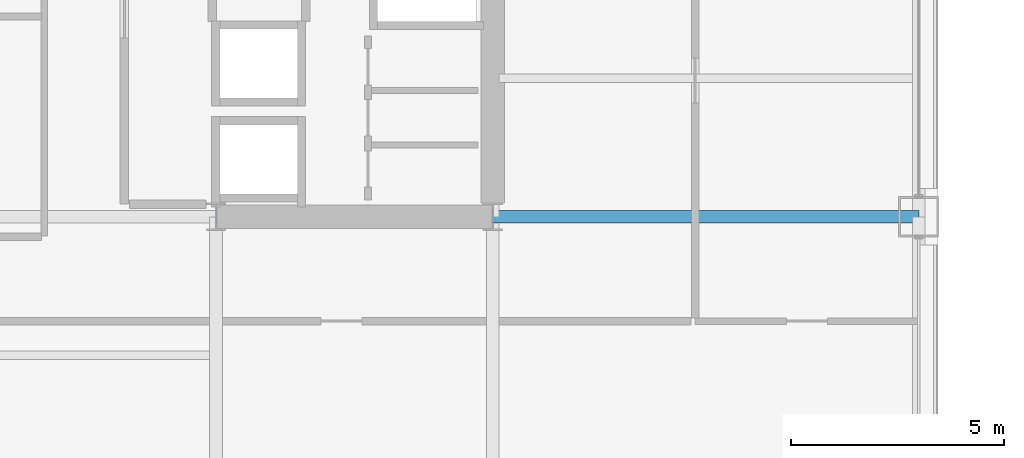
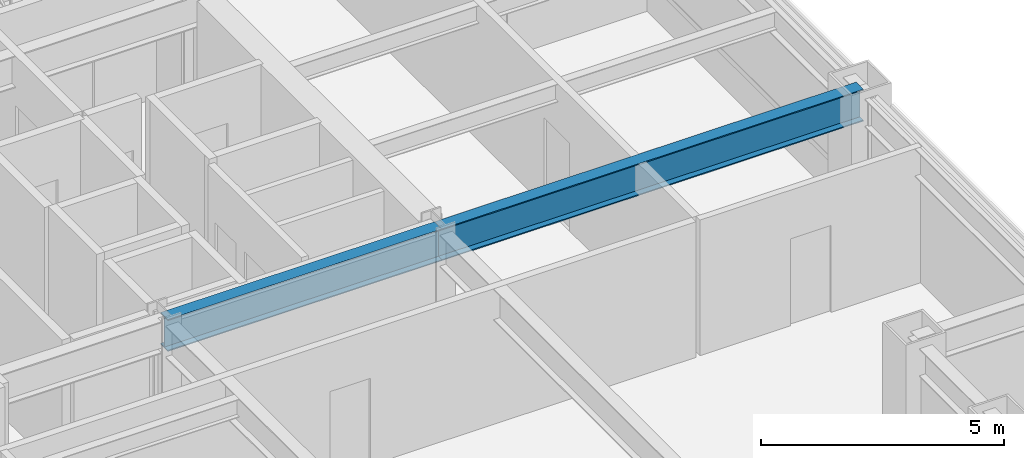
# One storey, part 11 of 28: 2 beams.
"""IFC4 building model written with IfcOpenShell, lengths in metres."""

from ifc_helpers import new_model, si_unit, direction, frame, origin, origin_2d, place, context, subcontext, project, spatial, i_section, extrude, material, material_profile, profile_set, type_object, element, save


model = new_model("IFC4")

# Units and contexts
model_context = context("Model", 3, precision=1e-05, world=origin(), true_north=direction((0.0, 1.0)))
body_context = subcontext(model_context, "Body", "Model", "MODEL_VIEW")
ifc_project = project(units=[si_unit("LENGTHUNIT", "METRE"), si_unit("AREAUNIT", "SQUARE_METRE"), si_unit("VOLUMEUNIT", "CUBIC_METRE"), si_unit("PLANEANGLEUNIT", "RADIAN"), si_unit("MASSUNIT", "GRAM", prefix="KILO")], contexts=[model_context])

# Site, building, storey
site_placement = place(None, origin())
site = spatial("IfcSite", under=ifc_project, at=site_placement, CompositionType="ELEMENT")
building_placement = place(site_placement, origin())
building = spatial("IfcBuilding", under=site, at=building_placement, Name="Brelmoor Portico Tower", CompositionType="ELEMENT")
storey_placement = place(building_placement, frame((0.0, 0.0, 49.199951171875)))
storey = spatial("IfcBuildingStorey", under=building, at=storey_placement, Name="L12", CompositionType="ELEMENT", Elevation=49.199951171875)

# Beams
ifc_material = material(Name="Steel Q355B", Category="steel")
ifc_material_profile = material_profile(ifc_material, i_section(OverallWidth=0.300048828125, OverallDepth=0.800048828125, WebThickness=0.013916015625, FlangeThickness=0.02587890625, at=origin_2d()), Name="HN 800x300x14x26")
ifc_profile_set = profile_set([ifc_material_profile], Name="Steel Q355B")
beam_type = type_object("IfcBeamType", Name="BM-PG-800", PredefinedType="BEAM", material=ifc_profile_set)
beam_1_placement = place(storey_placement, frame((8.050048828125, -9.75, 3.0), z_axis=(1.0, 0.0, 0.0), x_axis=(0.0, 1.0, 0.0)))
element("IfcBeam", 1, at=beam_1_placement, inside=storey, type_object=beam_type, Name="L12 Primary Floor Girder PG-22", PredefinedType="BEAM", context=body_context, shape_type="SweptSolid", body=[
    extrude(i_section(OverallWidth=0.300048828125, OverallDepth=0.800048828125, WebThickness=0.013916015625, FlangeThickness=0.02587890625, at=origin_2d()), origin(), (0.0, 0.0, 1.0), 6.5),
])
beam_2_placement = place(storey_placement, frame((14.550048828125, -9.75, 3.0), z_axis=(1.0, 0.0, 0.0), x_axis=(0.0, 1.0, 0.0)))
element("IfcBeam", 2, at=beam_2_placement, inside=storey, type_object=beam_type, Name="L12 Primary Floor Girder PG-23", PredefinedType="BEAM", context=body_context, shape_type="SweptSolid", body=[
    extrude(i_section(OverallWidth=0.300048828125, OverallDepth=0.800048828125, WebThickness=0.013916015625, FlangeThickness=0.02587890625, at=origin_2d()), origin(), (0.0, 0.0, 1.0), 10.0),
])

save(model, "model.ifc")
